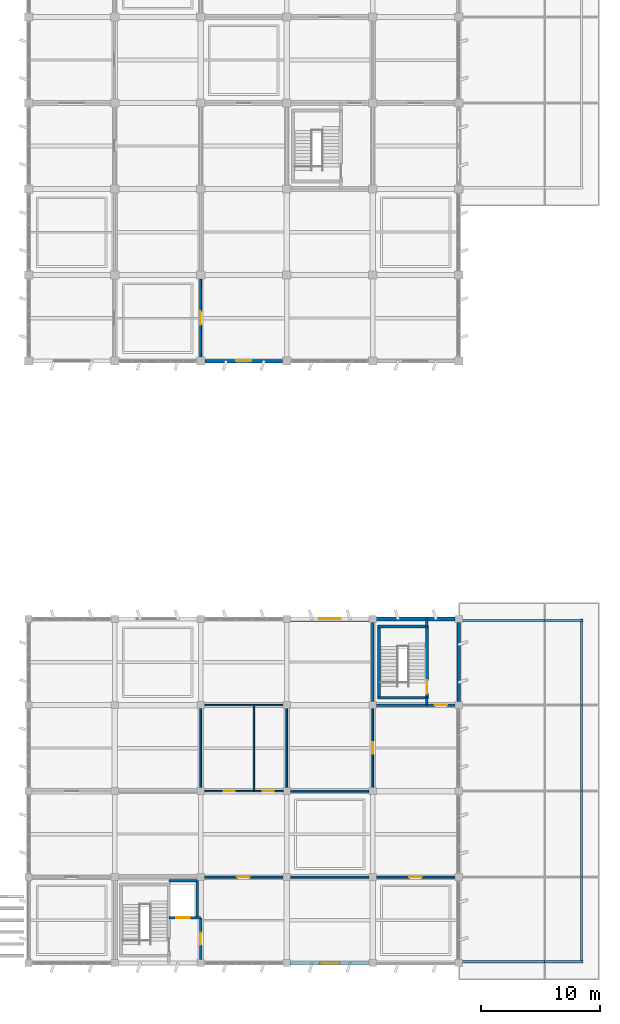
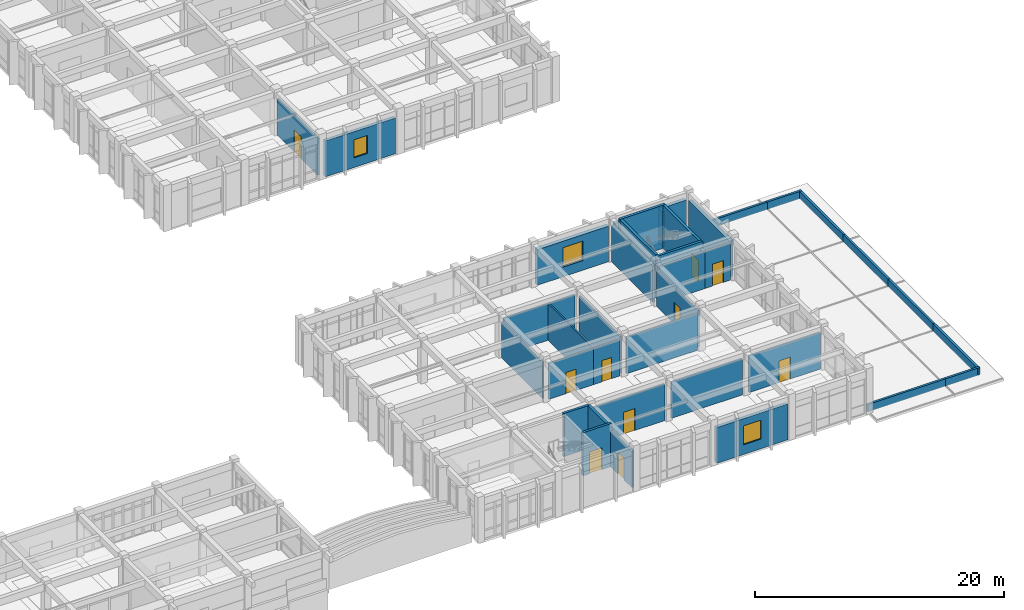
# One storey, part 69 of 81: 38 walls, 10 doors, 3 windows, 13 openings.
"""IFC4 building model written with IfcOpenShell, lengths in metres."""

from ifc_helpers import new_model, si_unit, direction, frame, frame_2d, origin, place, context, subcontext, project, spatial, rectangle, extrude, material, layer, layer_set, type_object, element, fill, save


model = new_model("IFC4")

# Units and contexts
model_context = context("Model", 3, precision=1e-05, world=origin(), true_north=direction((0.0, 1.0)))
body_context = subcontext(model_context, "Body", "Model", "MODEL_VIEW")
ifc_project = project(units=[si_unit("LENGTHUNIT", "METRE"), si_unit("AREAUNIT", "SQUARE_METRE"), si_unit("VOLUMEUNIT", "CUBIC_METRE"), si_unit("PLANEANGLEUNIT", "RADIAN"), si_unit("MASSUNIT", "GRAM", prefix="KILO")], contexts=[model_context])

# Site, building, storey
site_placement = place(None, origin())
site = spatial("IfcSite", under=ifc_project, at=site_placement, CompositionType="ELEMENT")
building_placement = place(site_placement, origin())
building = spatial("IfcBuilding", under=site, at=building_placement, Name="Kavelor Marine Aquarium", CompositionType="ELEMENT")
storey_placement = place(building_placement, frame((0.0, 0.0, 4.679931640625)))
storey = spatial("IfcBuildingStorey", under=building, at=storey_placement, Name="L01", CompositionType="ELEMENT", Elevation=4.679931640625)

# Wall, opening, window
ifc_material_1 = material(Name="Concrete C45/55", Category="concrete")
ifc_layer_1 = layer(ifc_material_1, 0.360107421875)
ifc_layer_set_1 = layer_set([ifc_layer_1], Name="WL-EX1")
wall_type_1 = type_object("IfcWallType", Name="WL-EX1", PredefinedType="STANDARD", material=ifc_layer_set_1)
wall_1_placement = place(storey_placement, frame((140.294921875, 31.60009765625, 0.0), z_axis=(0.0, 0.0, 1.0), x_axis=(1.0, 0.0, 0.0)))
wall_1 = element("IfcWall", 1, at=wall_1_placement, inside=storey, type_object=wall_type_1, Name="ew:x:L01:19_04", PredefinedType="STANDARD", context=body_context, shape_type="SweptSolid", body=[
    extrude(rectangle(XDim=6.610107421875, YDim=0.360107421875, at=frame_2d((3.30517578125, 0.0))), origin(), (0.0, 0.0, 1.0), 3.489990234375),
])
opening_1_placement = place(wall_1_placement, frame((2.3798828125, 0.0, 0.949951171875)))
opening_1 = element("IfcOpeningElement", 2, at=opening_1_placement, cuts=wall_1, Name="Opening W40", PredefinedType="OPENING", context=body_context, shape_type="SweptSolid", body=[
    extrude(rectangle(XDim=1.85009765625, YDim=1.89990234375, at=frame_2d((0.925048828125, 0.949951171875))), frame((0.0, 0.18994140625, 0.0), z_axis=(0.0, -1.0, 0.0), x_axis=(1.0, 0.0, 0.0)), (0.0, 0.0, 1.0), 0.380107),
])
ifc_material_2 = material(Name="Anodised Aluminium Frame with Low-E Double Glazing", Category="aluminium")
window_type_1 = type_object("IfcWindowType", Name="WIN-W40", PartitioningType="DOUBLE_PANEL_VERTICAL", PredefinedType="WINDOW", material=ifc_material_2)
window_1_placement = place(opening_1_placement, origin())
window_1 = element("IfcWindow", 3, at=window_1_placement, inside=storey, type_object=window_type_1, Name="win:x:L01:19_04", OverallHeight=1.89990234375, OverallWidth=1.85009765625, PartitioningType="SINGLE_PANEL", PredefinedType="WINDOW", context=body_context, shape_type="SweptSolid", body=[
    extrude(rectangle(XDim=1.85009765625, YDim=1.89990234375, at=frame_2d((0.925048828125, 0.949951171875))), frame((0.0, 0.030029296875, 0.0), z_axis=(0.0, -1.0, 0.0), x_axis=(1.0, 0.0, 0.0)), (0.0, 0.0, 1.0), 0.06005859375),
])
fill(opening_1, window_1)

# Walls
ifc_material_3 = material(Name="Concrete C45/55", Category="concrete")
ifc_layer_2 = layer(ifc_material_3, 0.320068359375)
ifc_layer_set_2 = layer_set([ifc_layer_2], Name="WL-EX2")
wall_type_2 = type_object("IfcWallType", Name="WL-EX2", PredefinedType="STANDARD", material=ifc_layer_set_2)
for number, where, z_axis, x_axis, name in (
    (4, (147.4951171875, 31.60009765625, 0.0), (0.0, 0.0, 1.0), (1.0, 0.0, 0.0), "ew:x:L01:20_04"),
    (5, (154.39990234375, 31.304931640625, 0.0), (0.0, 0.0, 1.0), (0.0, -1.0, 0.0), "ew:y:L01:21_03"),
):
    element("IfcWall", number, at=place(storey_placement, frame(where, z_axis=z_axis, x_axis=x_axis)), inside=storey, type_object=wall_type_2, Name=name, PredefinedType="STANDARD", context=body_context, shape_type="SweptSolid", body=[
        extrude(rectangle(XDim=6.60986328125, YDim=0.320068359375, at=frame_2d((3.304931640625, 0.0))), origin(), (0.0, 0.0, 1.0), 3.510009765625),
    ])

# Wall, opening, window
ifc_material_4 = material(Name="Concrete C40/50", Category="concrete")
ifc_layer_3 = layer(ifc_material_4, 0.300048828125)
ifc_layer_set_3 = layer_set([ifc_layer_3], Name="WL-EX3")
wall_type_3 = type_object("IfcWallType", Name="WL-EX3", PredefinedType="STANDARD", material=ifc_layer_set_3)
wall_2_placement = place(storey_placement, frame((139.655029296875, 53.199951171875, 0.0), z_axis=(0.0, 0.0, 1.0), x_axis=(-1.0, 0.0, 0.0)))
wall_2 = element("IfcWall", 6, at=wall_2_placement, inside=storey, type_object=wall_type_3, Name="ew:x:L01:18_07", PredefinedType="STANDARD", context=body_context, shape_type="SweptSolid", body=[
    extrude(rectangle(XDim=6.510009765625, YDim=0.300048828125, at=frame_2d((3.2548828125, 0.0))), origin(), (0.0, 0.0, 1.0), 3.510009765625),
])
opening_2_placement = place(wall_2_placement, frame((2.6298828125, 0.0, 0.949951171875)))
opening_2 = element("IfcOpeningElement", 7, at=opening_2_placement, cuts=wall_2, Name="Opening W37", PredefinedType="OPENING", context=body_context, shape_type="SweptSolid", body=[
    extrude(rectangle(XDim=1.25, YDim=1.75, at=frame_2d((0.625, 0.875))), frame((0.0, 0.159912109375, 0.0), z_axis=(0.0, -1.0, 0.0), x_axis=(1.0, 0.0, 0.0)), (0.0, 0.0, 1.0), 0.320049),
])
ifc_material_5 = material(Name="Anodised Aluminium Frame with Low-E Double Glazing", Category="aluminium")
window_type_2 = type_object("IfcWindowType", Name="WIN-W37", PartitioningType="SINGLE_PANEL", PredefinedType="WINDOW", material=ifc_material_5)
window_2_placement = place(opening_2_placement, origin())
window_2 = element("IfcWindow", 8, at=window_2_placement, inside=storey, type_object=window_type_2, Name="win:x:L01:18_07", OverallHeight=1.75, OverallWidth=1.25, PartitioningType="SINGLE_PANEL", PredefinedType="WINDOW", context=body_context, shape_type="SweptSolid", body=[
    extrude(rectangle(XDim=1.25, YDim=1.75, at=frame_2d((0.625, 0.875))), frame((0.0, 0.030029296875, 0.0), z_axis=(0.0, -1.0, 0.0), x_axis=(1.0, 0.0, 0.0)), (0.0, 0.0, 1.0), 0.06005859375),
])
fill(opening_2, window_2)

wall_3_placement = place(storey_placement, frame((146.905029296875, 2.800048828125, 0.0), z_axis=(0.0, 0.0, 1.0), x_axis=(-1.0, 0.0, 0.0)))
wall_3 = element("IfcWall", 9, at=wall_3_placement, inside=storey, type_object=wall_type_3, Name="ew:x:L01:19_00", PredefinedType="STANDARD", context=body_context, shape_type="SweptSolid", body=[
    extrude(rectangle(XDim=6.610107421875, YDim=0.300048828125, at=frame_2d((3.30517578125, 0.0))), origin(), (0.0, 0.0, 1.0), 3.510009765625),
])
opening_3_placement = place(wall_3_placement, frame((2.47998046875, 0.0, 0.949951171875)))
opening_3 = element("IfcOpeningElement", 10, at=opening_3_placement, cuts=wall_3, Name="Opening W39", PredefinedType="OPENING", context=body_context, shape_type="SweptSolid", body=[
    extrude(rectangle(XDim=1.64990234375, YDim=1.85009765625, at=frame_2d((0.824951171875, 0.925048828125))), frame((0.0, 0.159912109375, 0.0), z_axis=(0.0, -1.0, 0.0), x_axis=(1.0, 0.0, 0.0)), (0.0, 0.0, 1.0), 0.320049),
])
ifc_material_6 = material(Name="Anodised Aluminium Frame with Low-E Double Glazing", Category="aluminium")
window_type_3 = type_object("IfcWindowType", Name="WIN-W39", PartitioningType="SINGLE_PANEL", PredefinedType="WINDOW", material=ifc_material_6)
window_3_placement = place(opening_3_placement, origin())
window_3 = element("IfcWindow", 11, at=window_3_placement, inside=storey, type_object=window_type_3, Name="win:x:L01:19_00", OverallHeight=1.85009765625, OverallWidth=1.64990234375, PartitioningType="SINGLE_PANEL", PredefinedType="WINDOW", context=body_context, shape_type="SweptSolid", body=[
    extrude(rectangle(XDim=1.64990234375, YDim=1.85009765625, at=frame_2d((0.824951171875, 0.925048828125))), frame((0.0, 0.030029296875, 0.0), z_axis=(0.0, -1.0, 0.0), x_axis=(1.0, 0.0, 0.0)), (0.0, 0.0, 1.0), 0.06005859375),
])
fill(opening_3, window_3)

# Walls
ifc_material_7 = material(Name="Concrete C40/50", Category="concrete")
ifc_layer_4 = layer(ifc_material_7, 0.199951171875)
ifc_layer_set_4 = layer_set([ifc_layer_4], Name="WL-PR3")
wall_type_4 = type_object("IfcWallType", Name="WL-PR3", PredefinedType="PARAPET", material=ifc_layer_set_4)
for number, where, z_axis, x_axis, name in (
    (12, (154.39990234375, 2.919921875, 0.0), (0.0, 0.0, 1.0), (1.0, 0.0, 0.0), "par:s:L01:21_00"),
    (13, (154.39990234375, 31.47998046875, 0.0), (0.0, 0.0, 1.0), (1.0, 0.0, 0.0), "par:n:L01:21_03"),
):
    element("IfcWall", number, at=place(storey_placement, frame(where, z_axis=z_axis, x_axis=x_axis)), inside=storey, type_object=wall_type_4, Name=name, PredefinedType="PARAPET", context=body_context, shape_type="SweptSolid", body=[
        extrude(rectangle(XDim=7.2001953125, YDim=0.199951171875, at=frame_2d((3.60009765625, 0.0))), origin(), (0.0, 0.0, 1.0), 0.719970703125),
    ])
wall_4_placement = place(storey_placement, frame((161.60009765625, 2.919921875, 0.0), z_axis=(0.0, 0.0, 1.0), x_axis=(1.0, 0.0, 0.0)))
element("IfcWall", 14, at=wall_4_placement, inside=storey, type_object=wall_type_4, Name="par:s:L01:22_00", PredefinedType="PARAPET", context=body_context, shape_type="SweptSolid", body=[
    extrude(rectangle(XDim=3.199951171875, YDim=0.199951171875, at=frame_2d((1.60009765625, 0.0))), origin(), (0.0, 0.0, 1.0), 0.719970703125),
])
for number, where, z_axis, x_axis, name in (
    (15, (164.679931640625, 2.800048828125, 0.0), (0.0, 0.0, 1.0), (0.0, 1.0, 0.0), "par:e:L01:22_00"),
    (16, (164.679931640625, 10.0, 0.0), (0.0, 0.0, 1.0), (0.0, 1.0, 0.0), "par:e:L01:22_01"),
    (17, (164.679931640625, 17.199951171875, 0.0), (0.0, 0.0, 1.0), (0.0, 1.0, 0.0), "par:e:L01:22_02"),
):
    element("IfcWall", number, at=place(storey_placement, frame(where, z_axis=z_axis, x_axis=x_axis)), inside=storey, type_object=wall_type_4, Name=name, PredefinedType="PARAPET", context=body_context, shape_type="SweptSolid", body=[
        extrude(rectangle(XDim=7.199951171875, YDim=0.199951171875, at=frame_2d((3.60009765625, 0.0))), origin(), (0.0, 0.0, 1.0), 0.719970703125),
    ])
wall_5_placement = place(storey_placement, frame((161.60009765625, 31.47998046875, 0.0), z_axis=(0.0, 0.0, 1.0), x_axis=(1.0, 0.0, 0.0)))
element("IfcWall", 18, at=wall_5_placement, inside=storey, type_object=wall_type_4, Name="par:n:L01:22_03", PredefinedType="PARAPET", context=body_context, shape_type="SweptSolid", body=[
    extrude(rectangle(XDim=3.199951171875, YDim=0.199951171875, at=frame_2d((1.60009765625, 0.0))), origin(), (0.0, 0.0, 1.0), 0.719970703125),
])
wall_6_placement = place(storey_placement, frame((164.679931640625, 24.39990234375, 0.0), z_axis=(0.0, 0.0, 1.0), x_axis=(0.0, 1.0, 0.0)))
element("IfcWall", 19, at=wall_6_placement, inside=storey, type_object=wall_type_4, Name="par:e:L01:22_03", PredefinedType="PARAPET", context=body_context, shape_type="SweptSolid", body=[
    extrude(rectangle(XDim=7.2001953125, YDim=0.199951171875, at=frame_2d((3.60009765625, 0.0))), origin(), (0.0, 0.0, 1.0), 0.719970703125),
])

# Wall, opening, door
ifc_material_8 = material(Name="Concrete Blockwork Partition", Category="masonry")
ifc_layer_5 = layer(ifc_material_8, 0.199951171875)
ifc_layer_set_5 = layer_set([ifc_layer_5], Name="WL-PT1")
wall_type_5 = type_object("IfcWallType", Name="WL-PT1", PredefinedType="PARTITIONING", material=ifc_layer_set_5)
wall_7_placement = place(storey_placement, frame((132.800048828125, 3.10009765625, 0.0), z_axis=(0.0, 0.0, 1.0), x_axis=(0.0, 1.0, 0.0)))
wall_7 = element("IfcWall", 20, at=wall_7_placement, inside=storey, type_object=wall_type_5, Name="pt:lob:C08:L01:e", PredefinedType="PARTITIONING", context=body_context, shape_type="SweptSolid", body=[
    extrude(rectangle(XDim=3.5, YDim=0.199951171875, at=frame_2d((1.75, 0.0))), origin(), (0.0, 0.0, 1.0), 3.5400390625),
])
opening_4_placement = place(wall_7_placement, frame((1.239990234375, 0.0, 0.0)))
opening_4 = element("IfcOpeningElement", 21, at=opening_4_placement, cuts=wall_7, Name="Opening SD1", PredefinedType="OPENING", context=body_context, shape_type="SweptSolid", body=[
    extrude(rectangle(XDim=1.02001953125, YDim=2.14990234375, at=frame_2d((0.510009765625, 1.074951171875))), frame((0.0, 0.10986328125, 0.0), z_axis=(0.0, -1.0, 0.0), x_axis=(1.0, 0.0, 0.0)), (0.0, 0.0, 1.0), 0.219951),
])
ifc_material_9 = material(Name="Fire-Rated Corridor Compartment Door")
door_type_1 = type_object("IfcDoorType", Name="DR-SD1", OperationType="NOTDEFINED", PredefinedType="DOOR", material=ifc_material_9)
door_1_placement = place(opening_4_placement, origin())
door_1 = element("IfcDoor", 22, at=door_1_placement, inside=storey, type_object=door_type_1, Name="Core Lobby Fire Door C08-L01", OperationType="SINGLE_SWING_RIGHT", OverallHeight=2.14990234375, OverallWidth=1.02001953125, PredefinedType="DOOR", context=body_context, shape_type="SweptSolid", body=[
    extrude(rectangle(XDim=1.02001953125, YDim=2.14990234375, at=frame_2d((0.510009765625, 1.074951171875))), frame((0.0, 0.02490234375, 0.0), z_axis=(0.0, -1.0, 0.0), x_axis=(1.0, 0.0, 0.0)), (0.0, 0.0, 1.0), 0.050048828125),
])
fill(opening_4, door_1)

# Walls
wall_8_placement = place(storey_placement, frame((151.739990234375, 24.39990234375, 0.0), z_axis=(0.0, 0.0, 1.0), x_axis=(0.0, 1.0, 0.0)))
element("IfcWall", 23, at=wall_8_placement, inside=storey, type_object=wall_type_5, Name="pt:st_close:s:C09:L01", PredefinedType="PARTITIONING", context=body_context, shape_type="SweptSolid", body=[
    extrude(rectangle(XDim=0.6201171875, YDim=0.199951171875, at=frame_2d((0.31005859375, 0.0))), origin(), (0.0, 0.0, 1.0), 3.590087890625),
])
wall_9_placement = place(storey_placement, frame((151.739990234375, 30.97998046875, 0.0), z_axis=(0.0, 0.0, 1.0), x_axis=(0.0, 1.0, 0.0)))
element("IfcWall", 24, at=wall_9_placement, inside=storey, type_object=wall_type_5, Name="pt:st_close:n:C09:L01", PredefinedType="PARTITIONING", context=body_context, shape_type="SweptSolid", body=[
    extrude(rectangle(XDim=0.6201171875, YDim=0.199951171875, at=frame_2d((0.31005859375, 0.0))), origin(), (0.0, 0.0, 1.0), 3.510009765625),
])
wall_10_placement = place(storey_placement, frame((147.199951171875, 24.699951171875, 0.0), z_axis=(0.0, 0.0, 1.0), x_axis=(0.0, 1.0, 0.0)))
element("IfcWall", 25, at=wall_10_placement, inside=storey, type_object=wall_type_5, Name="pt:lob:C09:L01:w", PredefinedType="PARTITIONING", context=body_context, shape_type="SweptSolid", body=[
    extrude(rectangle(XDim=6.60009765625, YDim=0.199951171875, at=frame_2d((3.300048828125, 0.0))), origin(), (0.0, 0.0, 1.0), 3.590087890625),
])
wall_11_placement = place(storey_placement, frame((147.5, 24.39990234375, 0.0), z_axis=(0.0, 0.0, 1.0), x_axis=(1.0, 0.0, 0.0)))
element("IfcWall", 26, at=wall_11_placement, inside=storey, type_object=wall_type_5, Name="pt:lob:C09:L01:s_st", PredefinedType="PARTITIONING", context=body_context, shape_type="SweptSolid", body=[
    extrude(rectangle(XDim=4.239990234375, YDim=0.199951171875, at=frame_2d((2.1201171875, 0.0))), origin(), (0.0, 0.0, 1.0), 3.590087890625),
])

# Wall, opening, door
wall_12_placement = place(storey_placement, frame((151.739990234375, 24.39990234375, 0.0), z_axis=(0.0, 0.0, 1.0), x_axis=(1.0, 0.0, 0.0)))
wall_12 = element("IfcWall", 27, at=wall_12_placement, inside=storey, type_object=wall_type_5, Name="pt:lob:C09:L01:s", PredefinedType="PARTITIONING", context=body_context, shape_type="SweptSolid", body=[
    extrude(rectangle(XDim=2.360107421875, YDim=0.199951171875, at=frame_2d((1.18017578125, 0.0))), origin(), (0.0, 0.0, 1.0), 3.590087890625),
])
opening_5_placement = place(wall_12_placement, frame((0.669921875, 0.0, 0.0)))
opening_5 = element("IfcOpeningElement", 28, at=opening_5_placement, cuts=wall_12, Name="Opening SD1", PredefinedType="OPENING", context=body_context, shape_type="SweptSolid", body=[
    extrude(rectangle(XDim=1.02001953125, YDim=2.14990234375, at=frame_2d((0.510009765625, 1.074951171875))), frame((0.0, 0.10986328125, 0.0), z_axis=(0.0, -1.0, 0.0), x_axis=(1.0, 0.0, 0.0)), (0.0, 0.0, 1.0), 0.219951),
])
door_2_placement = place(opening_5_placement, origin())
door_2 = element("IfcDoor", 29, at=door_2_placement, inside=storey, type_object=door_type_1, Name="Core Lobby Fire Door C09-L01", OperationType="SINGLE_SWING_RIGHT", OverallHeight=2.14990234375, OverallWidth=1.02001953125, PredefinedType="DOOR", context=body_context, shape_type="SweptSolid", body=[
    extrude(rectangle(XDim=1.02001953125, YDim=2.14990234375, at=frame_2d((0.510009765625, 1.074951171875))), frame((0.0, 0.02490234375, 0.0), z_axis=(0.0, -1.0, 0.0), x_axis=(1.0, 0.0, 0.0)), (0.0, 0.0, 1.0), 0.050048828125),
])
fill(opening_5, door_2)

ifc_material_10 = material(Name="Acoustic Gypsum Stud Partition")
ifc_layer_6 = layer(ifc_material_10, 0.159912109375)
ifc_layer_set_6 = layer_set([ifc_layer_6], Name="WL-PT2")
wall_type_6 = type_object("IfcWallType", Name="WL-PT2", PredefinedType="PARTITIONING", material=ifc_layer_set_6)
wall_13_placement = place(storey_placement, frame((132.800048828125, 53.550048828125, 0.0), z_axis=(0.0, 0.0, 1.0), x_axis=(0.0, 1.0, 0.0)))
wall_13 = element("IfcWall", 30, at=wall_13_placement, inside=storey, type_object=wall_type_6, Name="pt:y:L01:17_07", PredefinedType="PARTITIONING", context=body_context, shape_type="SweptSolid", body=[
    extrude(rectangle(XDim=6.5, YDim=0.159912109375, at=frame_2d((3.25, 0.0))), origin(), (0.0, 0.0, 1.0), 3.590087890625),
])
opening_6_placement = place(wall_13_placement, frame((2.669921875, 0.0, 0.0)))
opening_6 = element("IfcOpeningElement", 31, at=opening_6_placement, cuts=wall_13, Name="Opening D09", PredefinedType="OPENING", context=body_context, shape_type="SweptSolid", body=[
    extrude(rectangle(XDim=1.159912109375, YDim=2.179931640625, at=frame_2d((0.580078125, 1.08984375))), frame((0.0, 0.08984375, 0.0), z_axis=(0.0, -1.0, 0.0), x_axis=(1.0, 0.0, 0.0)), (0.0, 0.0, 1.0), 0.179912),
])
ifc_material_11 = material(Name="Husbandry Prep Marine Door")
door_type_2 = type_object("IfcDoorType", Name="DR-D09", OperationType="NOTDEFINED", PredefinedType="DOOR", material=ifc_material_11)
door_3_placement = place(opening_6_placement, origin())
door_3 = element("IfcDoor", 32, at=door_3_placement, inside=storey, type_object=door_type_2, Name="dr:rm:pt:y:L01:17_07:0", OperationType="SINGLE_SWING_LEFT", OverallHeight=2.179931640625, OverallWidth=1.159912109375, PredefinedType="DOOR", context=body_context, shape_type="SweptSolid", body=[
    extrude(rectangle(XDim=1.159912109375, YDim=2.179931640625, at=frame_2d((0.580078125, 1.08984375))), frame((0.0, 0.02490234375, 0.0), z_axis=(0.0, -1.0, 0.0), x_axis=(1.0, 0.0, 0.0)), (0.0, 0.0, 1.0), 0.050048828125),
])
fill(opening_6, door_3)

wall_14_placement = place(storey_placement, frame((133.10009765625, 10.0, 0.0), z_axis=(0.0, 0.0, 1.0), x_axis=(1.0, 0.0, 0.0)))
wall_14 = element("IfcWall", 33, at=wall_14_placement, inside=storey, type_object=wall_type_6, Name="pt:x:L01:18_00", PredefinedType="PARTITIONING", context=body_context, shape_type="SweptSolid", body=[
    extrude(rectangle(XDim=6.599853515625, YDim=0.159912109375, at=frame_2d((3.2998046875, 0.0))), origin(), (0.0, 0.0, 1.0), 3.590087890625),
])
opening_7_placement = place(wall_14_placement, frame((2.77490234375, 0.0, 0.0)))
opening_7 = element("IfcOpeningElement", 34, at=opening_7_placement, cuts=wall_14, Name="Opening D05", PredefinedType="OPENING", context=body_context, shape_type="SweptSolid", body=[
    extrude(rectangle(XDim=1.050048828125, YDim=2.139892578125, at=frame_2d((0.52490234375, 1.06982421875))), frame((0.0, 0.08984375, 0.0), z_axis=(0.0, -1.0, 0.0), x_axis=(1.0, 0.0, 0.0)), (0.0, 0.0, 1.0), 0.179912),
])
ifc_material_12 = material(Name="Classroom Vision-Panel Timber Door", Category="wood")
door_type_3 = type_object("IfcDoorType", Name="DR-D05", OperationType="NOTDEFINED", PredefinedType="DOOR", material=ifc_material_12)
door_4_placement = place(opening_7_placement, origin())
door_4 = element("IfcDoor", 35, at=door_4_placement, inside=storey, type_object=door_type_3, Name="dr:rm:pt:x:L01:18_00:0", OperationType="SINGLE_SWING_LEFT", OverallHeight=2.139892578125, OverallWidth=1.050048828125, PredefinedType="DOOR", context=body_context, shape_type="SweptSolid", body=[
    extrude(rectangle(XDim=1.050048828125, YDim=2.139892578125, at=frame_2d((0.52490234375, 1.06982421875))), frame((0.0, 0.02490234375, 0.0), z_axis=(0.0, -1.0, 0.0), x_axis=(1.0, 0.0, 0.0)), (0.0, 0.0, 1.0), 0.050048828125),
])
fill(opening_7, door_4)

# Walls
wall_15_placement = place(storey_placement, frame((140.300048828125, 10.0, 0.0), z_axis=(0.0, 0.0, 1.0), x_axis=(1.0, 0.0, 0.0)))
element("IfcWall", 36, at=wall_15_placement, inside=storey, type_object=wall_type_6, Name="pt:x:L01:19_00", PredefinedType="PARTITIONING", context=body_context, shape_type="SweptSolid", body=[
    extrude(rectangle(XDim=6.599853515625, YDim=0.159912109375, at=frame_2d((3.2998046875, 0.0))), origin(), (0.0, 0.0, 1.0), 3.5400390625),
])
wall_16_placement = place(storey_placement, frame((140.300048828125, 17.199951171875, 0.0), z_axis=(0.0, 0.0, 1.0), x_axis=(1.0, 0.0, 0.0)))
element("IfcWall", 37, at=wall_16_placement, inside=storey, type_object=wall_type_6, Name="pt:x:L01:19_01", PredefinedType="PARTITIONING", context=body_context, shape_type="SweptSolid", body=[
    extrude(rectangle(XDim=6.599853515625, YDim=0.159912109375, at=frame_2d((3.2998046875, 0.0))), origin(), (0.0, 0.0, 1.0), 3.590087890625),
])

# Wall, opening, door
wall_17_placement = place(storey_placement, frame((147.199951171875, 17.5, 0.0), z_axis=(0.0, 0.0, 1.0), x_axis=(0.0, 1.0, 0.0)))
wall_17 = element("IfcWall", 38, at=wall_17_placement, inside=storey, type_object=wall_type_6, Name="pt:y:L01:19_02", PredefinedType="PARTITIONING", context=body_context, shape_type="SweptSolid", body=[
    extrude(rectangle(XDim=6.60009765625, YDim=0.159912109375, at=frame_2d((3.300048828125, 0.0))), origin(), (0.0, 0.0, 1.0), 3.5400390625),
])
opening_8_placement = place(wall_17_placement, frame((2.820068359375, 0.0, 0.0)))
opening_8 = element("IfcOpeningElement", 39, at=opening_8_placement, cuts=wall_17, Name="Opening D01", PredefinedType="OPENING", context=body_context, shape_type="SweptSolid", body=[
    extrude(rectangle(XDim=0.9599609375, YDim=2.10009765625, at=frame_2d((0.47998046875, 1.050048828125))), frame((0.0, 0.08984375, 0.0), z_axis=(0.0, -1.0, 0.0), x_axis=(1.0, 0.0, 0.0)), (0.0, 0.0, 1.0), 0.179912),
])
ifc_material_13 = material(Name="Solid-Core Acoustic Timber Laboratory Door", Category="wood")
door_type_4 = type_object("IfcDoorType", Name="DR-D01", OperationType="NOTDEFINED", PredefinedType="DOOR", material=ifc_material_13)
door_5_placement = place(opening_8_placement, origin())
door_5 = element("IfcDoor", 40, at=door_5_placement, inside=storey, type_object=door_type_4, Name="dr:rm:pt:y:L01:19_02:1", OperationType="SINGLE_SWING_RIGHT", OverallHeight=2.10009765625, OverallWidth=0.9599609375, PredefinedType="DOOR", context=body_context, shape_type="SweptSolid", body=[
    extrude(rectangle(XDim=0.9599609375, YDim=2.10009765625, at=frame_2d((0.47998046875, 1.050048828125))), frame((0.0, 0.02490234375, 0.0), z_axis=(0.0, -1.0, 0.0), x_axis=(1.0, 0.0, 0.0)), (0.0, 0.0, 1.0), 0.050048828125),
])
fill(opening_8, door_5)

wall_18_placement = place(storey_placement, frame((147.5, 10.0, 0.0), z_axis=(0.0, 0.0, 1.0), x_axis=(1.0, 0.0, 0.0)))
wall_18 = element("IfcWall", 41, at=wall_18_placement, inside=storey, type_object=wall_type_6, Name="pt:x:L01:20_00", PredefinedType="PARTITIONING", context=body_context, shape_type="SweptSolid", body=[
    extrude(rectangle(XDim=6.60009765625, YDim=0.159912109375, at=frame_2d((3.300048828125, 0.0))), origin(), (0.0, 0.0, 1.0), 3.590087890625),
])
opening_9_placement = place(wall_18_placement, frame((2.77490234375, 0.0, 0.0)))
opening_9 = element("IfcOpeningElement", 42, at=opening_9_placement, cuts=wall_18, Name="Opening D05", PredefinedType="OPENING", context=body_context, shape_type="SweptSolid", body=[
    extrude(rectangle(XDim=1.050048828125, YDim=2.139892578125, at=frame_2d((0.52490234375, 1.06982421875))), frame((0.0, 0.08984375, 0.0), z_axis=(0.0, -1.0, 0.0), x_axis=(1.0, 0.0, 0.0)), (0.0, 0.0, 1.0), 0.179912),
])
door_6_placement = place(opening_9_placement, origin())
door_6 = element("IfcDoor", 43, at=door_6_placement, inside=storey, type_object=door_type_3, Name="dr:rm:pt:x:L01:20_00:1", OperationType="SINGLE_SWING_RIGHT", OverallHeight=2.139892578125, OverallWidth=1.050048828125, PredefinedType="DOOR", context=body_context, shape_type="SweptSolid", body=[
    extrude(rectangle(XDim=1.050048828125, YDim=2.139892578125, at=frame_2d((0.52490234375, 1.06982421875))), frame((0.0, 0.02490234375, 0.0), z_axis=(0.0, -1.0, 0.0), x_axis=(1.0, 0.0, 0.0)), (0.0, 0.0, 1.0), 0.050048828125),
])
fill(opening_9, door_6)

# Wall
ifc_material_14 = material(Name="Moisture-Resistant Marine Partition")
ifc_layer_7 = layer(ifc_material_14, 0.139892578125)
ifc_layer_set_7 = layer_set([ifc_layer_7], Name="WL-PT3")
wall_type_7 = type_object("IfcWallType", Name="WL-PT3", PredefinedType="PARTITIONING", material=ifc_layer_set_7)
wall_19_placement = place(storey_placement, frame((137.25, 17.199951171875, 0.0), z_axis=(0.0, 0.0, 1.0), x_axis=(0.0, 1.0, 0.0)))
element("IfcWall", 44, at=wall_19_placement, inside=storey, type_object=wall_type_7, Name="pt:san:div:L01:18_02", PredefinedType="PARTITIONING", context=body_context, shape_type="SweptSolid", body=[
    extrude(rectangle(XDim=7.199951171875, YDim=0.139892578125, at=frame_2d((3.60009765625, 0.0))), origin(), (0.0, 0.0, 1.0), 3.6201171875),
])

# Wall, opening, door
wall_20_placement = place(storey_placement, frame((133.10009765625, 17.199951171875, 0.0), z_axis=(0.0, 0.0, 1.0), x_axis=(1.0, 0.0, 0.0)))
wall_20 = element("IfcWall", 45, at=wall_20_placement, inside=storey, type_object=wall_type_7, Name="pt:san:f1:L01:18_02", PredefinedType="PARTITIONING", context=body_context, shape_type="SweptSolid", body=[
    extrude(rectangle(XDim=4.14990234375, YDim=0.139892578125, at=frame_2d((2.074951171875, 0.0))), origin(), (0.0, 0.0, 1.0), 3.5400390625),
])
opening_10_placement = place(wall_20_placement, frame((1.614990234375, 0.0, 0.0)))
opening_10 = element("IfcOpeningElement", 46, at=opening_10_placement, cuts=wall_20, Name="Opening D02", PredefinedType="OPENING", context=body_context, shape_type="SweptSolid", body=[
    extrude(rectangle(XDim=0.919921875, YDim=2.080078125, at=frame_2d((0.4599609375, 1.0400390625))), frame((0.0, 0.079833984375, 0.0), z_axis=(0.0, -1.0, 0.0), x_axis=(1.0, 0.0, 0.0)), (0.0, 0.0, 1.0), 0.159893),
])
ifc_material_15 = material(Name="Moisture-Resistant Laminate Sanitary Door")
door_type_5 = type_object("IfcDoorType", Name="DR-D02", OperationType="NOTDEFINED", PredefinedType="DOOR", material=ifc_material_15)
door_7_placement = place(opening_10_placement, origin())
door_7 = element("IfcDoor", 47, at=door_7_placement, inside=storey, type_object=door_type_5, Name="dr:wc:L01:18_02", OperationType="SINGLE_SWING_RIGHT", OverallHeight=2.080078125, OverallWidth=0.919921875, PredefinedType="DOOR", context=body_context, shape_type="SweptSolid", body=[
    extrude(rectangle(XDim=0.919921875, YDim=2.080078125, at=frame_2d((0.4599609375, 1.0400390625))), frame((0.0, 0.02490234375, 0.0), z_axis=(0.0, -1.0, 0.0), x_axis=(1.0, 0.0, 0.0)), (0.0, 0.0, 1.0), 0.050048828125),
])
fill(opening_10, door_7)

wall_21_placement = place(storey_placement, frame((137.25, 17.199951171875, 0.0), z_axis=(0.0, 0.0, 1.0), x_axis=(1.0, 0.0, 0.0)))
wall_21 = element("IfcWall", 48, at=wall_21_placement, inside=storey, type_object=wall_type_7, Name="pt:san:f2:L01:18_02", PredefinedType="PARTITIONING", context=body_context, shape_type="SweptSolid", body=[
    extrude(rectangle(XDim=2.449951171875, YDim=0.139892578125, at=frame_2d((1.22509765625, 0.0))), origin(), (0.0, 0.0, 1.0), 3.5400390625),
])
opening_11_placement = place(wall_21_placement, frame((0.764892578125, 0.0, 0.0)))
opening_11 = element("IfcOpeningElement", 49, at=opening_11_placement, cuts=wall_21, Name="Opening D02", PredefinedType="OPENING", context=body_context, shape_type="SweptSolid", body=[
    extrude(rectangle(XDim=0.919921875, YDim=2.080078125, at=frame_2d((0.4599609375, 1.0400390625))), frame((0.0, 0.079833984375, 0.0), z_axis=(0.0, -1.0, 0.0), x_axis=(1.0, 0.0, 0.0)), (0.0, 0.0, 1.0), 0.159893),
])
door_8_placement = place(opening_11_placement, origin())
door_8 = element("IfcDoor", 50, at=door_8_placement, inside=storey, type_object=door_type_5, Name="dr:awc:L01:18_02", OperationType="SINGLE_SWING_LEFT", OverallHeight=2.080078125, OverallWidth=0.919921875, PredefinedType="DOOR", context=body_context, shape_type="SweptSolid", body=[
    extrude(rectangle(XDim=0.919921875, YDim=2.080078125, at=frame_2d((0.4599609375, 1.0400390625))), frame((0.0, 0.02490234375, 0.0), z_axis=(0.0, -1.0, 0.0), x_axis=(1.0, 0.0, 0.0)), (0.0, 0.0, 1.0), 0.050048828125),
])
fill(opening_11, door_8)

# Walls
wall_22_placement = place(storey_placement, frame((133.10009765625, 24.39990234375, 0.0), z_axis=(0.0, 0.0, 1.0), x_axis=(1.0, 0.0, 0.0)))
element("IfcWall", 51, at=wall_22_placement, inside=storey, type_object=wall_type_7, Name="pt:san:enc_n:L01:18_02", PredefinedType="PARTITIONING", context=body_context, shape_type="SweptSolid", body=[
    extrude(rectangle(XDim=6.599853515625, YDim=0.139892578125, at=frame_2d((3.2998046875, 0.0))), origin(), (0.0, 0.0, 1.0), 3.590087890625),
])
for number, where, z_axis, x_axis, name in (
    (52, (132.800048828125, 17.5, 0.0), (0.0, 0.0, 1.0), (0.0, 1.0, 0.0), "pt:san:enc_w:L01:18_02"),
    (53, (140.0, 17.5, 0.0), (0.0, 0.0, 1.0), (0.0, 1.0, 0.0), "pt:san:enc_e:L01:18_02"),
):
    element("IfcWall", number, at=place(storey_placement, frame(where, z_axis=z_axis, x_axis=x_axis)), inside=storey, type_object=wall_type_7, Name=name, PredefinedType="PARTITIONING", context=body_context, shape_type="SweptSolid", body=[
        extrude(rectangle(XDim=6.60009765625, YDim=0.139892578125, at=frame_2d((3.300048828125, 0.0))), origin(), (0.0, 0.0, 1.0), 3.5400390625),
    ])

# Wall, opening, door
ifc_material_16 = material(Name="Concrete C40/50", Category="concrete")
ifc_layer_8 = layer(ifc_material_16, 0.35009765625)
ifc_layer_set_8 = layer_set([ifc_layer_8], Name="WL-SW2")
wall_type_8 = type_object("IfcWallType", Name="WL-SW2", PredefinedType="SHEAR", material=ifc_layer_set_8)
wall_23_placement = place(storey_placement, frame((130.139892578125, 6.60009765625, 0.0), z_axis=(0.0, 0.0, 1.0), x_axis=(1.0, 0.0, 0.0)))
wall_23 = element("IfcWall", 54, at=wall_23_placement, inside=storey, type_object=wall_type_8, Name="cw_lf:s:C08:L01", PredefinedType="SHEAR", context=body_context, shape_type="SweptSolid", body=[
    extrude(rectangle(XDim=2.66015625, YDim=0.219970703125, at=frame_2d((1.330078125, 0.0))), origin(), (0.0, 0.0, 1.0), 4.219970703125),
])
opening_12_placement = place(wall_23_placement, frame((0.610107421875, 0.0, 0.0)))
opening_12 = element("IfcOpeningElement", 55, at=opening_12_placement, cuts=wall_23, Name="Opening LD1", PredefinedType="OPENING", context=body_context, shape_type="SweptSolid", body=[
    extrude(rectangle(XDim=1.139892578125, YDim=2.14990234375, at=frame_2d((0.56982421875, 1.074951171875))), frame((0.0, 0.119873046875, 0.0), z_axis=(0.0, -1.0, 0.0), x_axis=(1.0, 0.0, 0.0)), (0.0, 0.0, 1.0), 0.239971),
])
ifc_material_17 = material(Name="Stainless Steel Lift Landing Sliding Door", Category="steel")
door_type_6 = type_object("IfcDoorType", Name="DR-LD1", OperationType="NOTDEFINED", PredefinedType="DOOR", material=ifc_material_17)
door_9_placement = place(opening_12_placement, origin())
door_9 = element("IfcDoor", 56, at=door_9_placement, inside=storey, type_object=door_type_6, Name="Lift Landing Sliding Door EL4-L01", OperationType="SLIDING_TO_LEFT", OverallHeight=2.14990234375, OverallWidth=1.139892578125, PredefinedType="DOOR", context=body_context, shape_type="SweptSolid", body=[
    extrude(rectangle(XDim=1.139892578125, YDim=2.14990234375, at=frame_2d((0.56982421875, 1.074951171875))), frame((0.0, 0.02490234375, 0.0), z_axis=(0.0, -1.0, 0.0), x_axis=(1.0, 0.0, 0.0)), (0.0, 0.0, 1.0), 0.050048828125),
])
fill(opening_12, door_9)

# Walls
wall_24_placement = place(storey_placement, frame((130.139892578125, 9.699951171875, 0.0), z_axis=(0.0, 0.0, 1.0), x_axis=(1.0, 0.0, 0.0)))
element("IfcWall", 57, at=wall_24_placement, inside=storey, type_object=wall_type_8, Name="cw_lf:n:C08:L01", PredefinedType="SHEAR", context=body_context, shape_type="SweptSolid", body=[
    extrude(rectangle(XDim=2.360107421875, YDim=0.219970703125, at=frame_2d((1.18017578125, 0.0))), origin(), (0.0, 0.0, 1.0), 4.219970703125),
])
wall_25_placement = place(storey_placement, frame((132.5, 6.60009765625, 0.0), z_axis=(0.0, 0.0, 1.0), x_axis=(0.0, 1.0, 0.0)))
element("IfcWall", 58, at=wall_25_placement, inside=storey, type_object=wall_type_8, Name="cw_lf:e:C08:L01", PredefinedType="SHEAR", context=body_context, shape_type="SweptSolid", body=[
    extrude(rectangle(XDim=3.099853515625, YDim=0.219970703125, at=frame_2d((1.5498046875, 0.0))), origin(), (0.0, 0.0, 1.0), 4.219970703125),
])
for number, where, z_axis, x_axis, name in (
    (59, (147.6201171875, 25.02001953125, 0.0), (0.0, 0.0, 1.0), (1.0, 0.0, 0.0), "cw_st:s:C09:L01"),
    (60, (147.6201171875, 30.97998046875, 0.0), (0.0, 0.0, 1.0), (1.0, 0.0, 0.0), "cw_st:n:C09:L01"),
):
    element("IfcWall", number, at=place(storey_placement, frame(where, z_axis=z_axis, x_axis=x_axis)), inside=storey, type_object=wall_type_8, Name=name, PredefinedType="SHEAR", context=body_context, shape_type="SweptSolid", body=[
        extrude(rectangle(XDim=4.239990234375, YDim=0.239990234375, at=frame_2d((2.1201171875, 0.0))), origin(), (0.0, 0.0, 1.0), 4.219970703125),
    ])
wall_26_placement = place(storey_placement, frame((147.739990234375, 25.139892578125, 0.0), z_axis=(0.0, 0.0, 1.0), x_axis=(0.0, 1.0, 0.0)))
element("IfcWall", 61, at=wall_26_placement, inside=storey, type_object=wall_type_8, Name="cw_st:w:C09:L01", PredefinedType="SHEAR", context=body_context, shape_type="SweptSolid", body=[
    extrude(rectangle(XDim=5.72021484375, YDim=0.239990234375, at=frame_2d((2.860107421875, 0.0))), origin(), (0.0, 0.0, 1.0), 4.219970703125),
])

# Wall, opening, door
wall_27_placement = place(storey_placement, frame((151.739990234375, 25.139892578125, 0.0), z_axis=(0.0, 0.0, 1.0), x_axis=(0.0, 1.0, 0.0)))
wall_27 = element("IfcWall", 62, at=wall_27_placement, inside=storey, type_object=wall_type_8, Name="cw_st:e:C09:L01", PredefinedType="SHEAR", context=body_context, shape_type="SweptSolid", body=[
    extrude(rectangle(XDim=5.72021484375, YDim=0.239990234375, at=frame_2d((2.860107421875, 0.0))), origin(), (0.0, 0.0, 1.0), 4.219970703125),
])
opening_13_placement = place(wall_27_placement, frame((0.219970703125, 0.0, 0.0)))
opening_13 = element("IfcOpeningElement", 63, at=opening_13_placement, cuts=wall_27, Name="Opening FD1", PredefinedType="OPENING", context=body_context, shape_type="SweptSolid", body=[
    extrude(rectangle(XDim=1.1201171875, YDim=2.14990234375, at=frame_2d((0.56005859375, 1.074951171875))), frame((0.0, 0.1298828125, 0.0), z_axis=(0.0, -1.0, 0.0), x_axis=(1.0, 0.0, 0.0)), (0.0, 0.0, 1.0), 0.25999),
])
ifc_material_18 = material(Name="Fire-Rated Steel Stair and Core Door", Category="steel")
door_type_7 = type_object("IfcDoorType", Name="DR-FD1", OperationType="NOTDEFINED", PredefinedType="DOOR", material=ifc_material_18)
door_10_placement = place(opening_13_placement, origin())
door_10 = element("IfcDoor", 64, at=door_10_placement, inside=storey, type_object=door_type_7, Name="Stair Fire Door ST09-L01", OperationType="SINGLE_SWING_LEFT", OverallHeight=2.14990234375, OverallWidth=1.1201171875, PredefinedType="DOOR", context=body_context, shape_type="SweptSolid", body=[
    extrude(rectangle(XDim=1.1201171875, YDim=2.14990234375, at=frame_2d((0.56005859375, 1.074951171875))), frame((0.0, 0.02490234375, 0.0), z_axis=(0.0, -1.0, 0.0), x_axis=(1.0, 0.0, 0.0)), (0.0, 0.0, 1.0), 0.050048828125),
])
fill(opening_13, door_10)

save(model, "model.ifc")
